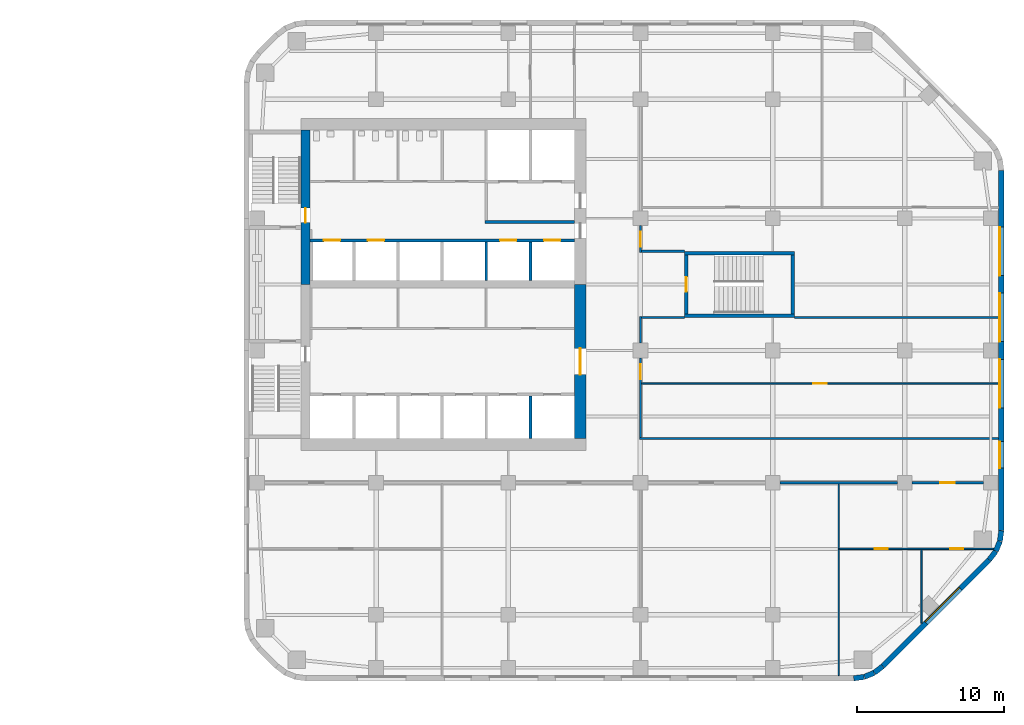
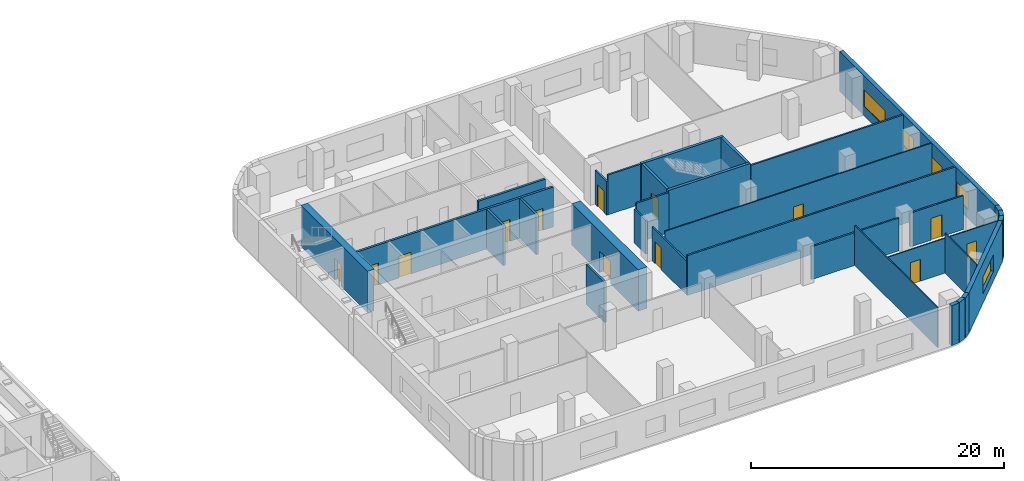
# One storey, part 9 of 14: 32 walls, 13 doors, 5 windows, 18 openings.
"""IFC4 building model written with IfcOpenShell, lengths in metres."""

from ifc_helpers import new_model, si_unit, direction, frame, frame_2d, origin, place, context, subcontext, project, spatial, rectangle, extrude, material, layer, layer_set, type_object, element, fill, save


model = new_model("IFC4")

# Units and contexts
model_context = context("Model", 3, precision=1e-05, world=origin(), true_north=direction((0.0, 1.0)))
body_context = subcontext(model_context, "Body", "Model", "MODEL_VIEW")
ifc_project = project(units=[si_unit("LENGTHUNIT", "METRE"), si_unit("AREAUNIT", "SQUARE_METRE"), si_unit("VOLUMEUNIT", "CUBIC_METRE"), si_unit("PLANEANGLEUNIT", "RADIAN"), si_unit("MASSUNIT", "GRAM", prefix="KILO")], contexts=[model_context])

# Site, building, storey
site_placement = place(None, origin())
site = spatial("IfcSite", under=ifc_project, at=site_placement, CompositionType="ELEMENT")
building_placement = place(site_placement, origin())
building = spatial("IfcBuilding", under=site, at=building_placement, Name="Cinnabar Reach Civic Tower", CompositionType="ELEMENT")
storey_placement = place(building_placement, frame((0.0, 0.0, 136.0)))
storey = spatial("IfcBuildingStorey", under=building, at=storey_placement, Name="L32", CompositionType="ELEMENT", Elevation=136.0)

# Walls
ifc_material_1 = material(Name="Facing brick with insulated backing", Category="masonry")
ifc_layer_1 = layer(ifc_material_1, 0.36)
ifc_layer_set_1 = layer_set([ifc_layer_1], Name="Brick corner wall")
wall_type_1 = type_object("IfcWallType", Name="Brick corner wall", PredefinedType="STANDARD", material=ifc_layer_set_1)
for number, where, z_axis, x_axis, name in (
    (1, (41.5186, 4.683, 0.0), (0.0, 0.0, 1.0), (0.99144092581, 0.13055608231, 0.0), "Brick corner wall"),
    (2, (42.2473, 4.7819, 0.0), (0.0, 0.0, 1.0), (0.923871547278, 0.382702709855, 0.0), "Brick corner wall"),
):
    element("IfcWall", number, at=place(storey_placement, frame(where, z_axis=z_axis, x_axis=x_axis)), inside=storey, type_object=wall_type_1, Name=name, PredefinedType="STANDARD", context=body_context, shape_type="SweptSolid", body=[
        extrude(rectangle(XDim=0.7131, YDim=0.36, at=frame_2d((0.3565, 0.0))), origin(), (0.0, 0.0, 1.0), 3.85),
    ])
for number, where, z_axis, x_axis, name in (
    (3, (42.9255, 5.066, 0.0), (0.0, 0.0, 1.0), (0.793321924995, 0.608802368033, 0.0), "Brick corner wall"),
    (4, (50.7498, 12.7587, 0.0), (0.0, 0.0, 1.0), (0.608802368033, 0.793321924995, 0.0), "Brick corner wall"),
):
    element("IfcWall", number, at=place(storey_placement, frame(where, z_axis=z_axis, x_axis=x_axis)), inside=storey, type_object=wall_type_1, Name=name, PredefinedType="STANDARD", context=body_context, shape_type="SweptSolid", body=[
        extrude(rectangle(XDim=0.7132, YDim=0.36, at=frame_2d((0.3566, 0.0))), origin(), (0.0, 0.0, 1.0), 3.85),
    ])
for number, where, z_axis, x_axis, name in (
    (5, (51.1952, 13.3439, 0.0), (0.0, 0.0, 1.0), (0.382702709855, 0.923871547278, 0.0), "Brick corner wall"),
    (6, (51.4739, 14.0244, 0.0), (0.0, 0.0, 1.0), (0.13055608231, 0.99144092581, 0.0), "Brick corner wall"),
):
    element("IfcWall", number, at=place(storey_placement, frame(where, z_axis=z_axis, x_axis=x_axis)), inside=storey, type_object=wall_type_1, Name=name, PredefinedType="STANDARD", context=body_context, shape_type="SweptSolid", body=[
        extrude(rectangle(XDim=0.7131, YDim=0.36, at=frame_2d((0.3565, 0.0))), origin(), (0.0, 0.0, 1.0), 3.85),
    ])

# Wall, opening, window
ifc_layer_2 = layer(ifc_material_1, 0.36)
ifc_layer_set_2 = layer_set([ifc_layer_2], Name="Brick pier and spandrel wall")
wall_type_2 = type_object("IfcWallType", Name="Brick pier and spandrel wall", PredefinedType="STANDARD", material=ifc_layer_set_2)
wall_1_placement = place(storey_placement, frame((43.5014, 5.506, 0.0), z_axis=(0.0, 0.0, 1.0), x_axis=(0.707106781187, 0.707106781187, 0.0)))
wall_1 = element("IfcWall", 7, at=wall_1_placement, inside=storey, type_object=wall_type_2, Name="Brick facade wall", PredefinedType="STANDARD", context=body_context, shape_type="SweptSolid", body=[
    extrude(rectangle(XDim=10.2426, YDim=0.36, at=frame_2d((5.1213, 0.0))), origin(), (0.0, 0.0, 1.0), 3.85),
])
opening_1_placement = place(wall_1_placement, frame((4.1713, 0.0, 0.9)))
opening_1 = element("IfcOpeningElement", 8, at=opening_1_placement, cuts=wall_1, Name="Opening W1684", PredefinedType="OPENING", context=body_context, shape_type="SweptSolid", body=[
    extrude(rectangle(XDim=3.3, YDim=1.6, at=frame_2d((1.65, 0.8))), frame((0.0, 0.19, 0.0), z_axis=(0.0, -1.0, 0.0), x_axis=(1.0, 0.0, 0.0)), (0.0, 0.0, 1.0), 0.38),
])
ifc_material_2 = material(Name="Clear double glazing in aluminium frame", Category="aluminium")
window_type_1 = type_object("IfcWindowType", Name="Deep-set window A", PartitioningType="SINGLE_PANEL", PredefinedType="WINDOW", material=ifc_material_2)
window_1_placement = place(opening_1_placement, origin())
window_1 = element("IfcWindow", 9, at=window_1_placement, inside=storey, type_object=window_type_1, Name="Window southeast face", OverallHeight=1.6, OverallWidth=3.3, PartitioningType="SINGLE_PANEL", PredefinedType="WINDOW", context=body_context, shape_type="SweptSolid", body=[
    extrude(rectangle(XDim=3.3, YDim=1.6, at=frame_2d((1.65, 0.8))), frame((0.0, 0.13, 0.0), z_axis=(0.0, -1.0, 0.0), x_axis=(1.0, 0.0, 0.0)), (0.0, 0.0, 1.0), 0.06),
])
fill(opening_1, window_1)

# Wall, openings, windows
wall_2_placement = place(storey_placement, frame((51.57, 14.7426, 0.0), z_axis=(0.0, 0.0, 1.0), x_axis=(0.0, 1.0, 0.0)))
wall_2 = element("IfcWall", 10, at=wall_2_placement, inside=storey, type_object=wall_type_2, Name="Brick facade wall", PredefinedType="STANDARD", context=body_context, shape_type="SweptSolid", body=[
    extrude(rectangle(XDim=24.5148, YDim=0.36, at=frame_2d((12.2574, 0.0))), origin(), (0.0, 0.0, 1.0), 3.85),
])
opening_2_placement = place(wall_2_placement, frame((4.2574, 0.0, 0.9)))
opening_2 = element("IfcOpeningElement", 11, at=opening_2_placement, cuts=wall_2, Name="Opening W1685", PredefinedType="OPENING", context=body_context, shape_type="SweptSolid", body=[
    extrude(rectangle(XDim=1.8, YDim=1.6, at=frame_2d((0.9, 0.8))), frame((0.0, 0.19, 0.0), z_axis=(0.0, -1.0, 0.0), x_axis=(1.0, 0.0, 0.0)), (0.0, 0.0, 1.0), 0.38),
])
opening_3_placement = place(wall_2_placement, frame((8.3574, 0.0, 0.9)))
opening_3 = element("IfcOpeningElement", 12, at=opening_3_placement, cuts=wall_2, Name="Opening W1686", PredefinedType="OPENING", context=body_context, shape_type="SweptSolid", body=[
    extrude(rectangle(XDim=3.3, YDim=1.6, at=frame_2d((1.65, 0.8))), frame((0.0, 0.19, 0.0), z_axis=(0.0, -1.0, 0.0), x_axis=(1.0, 0.0, 0.0)), (0.0, 0.0, 1.0), 0.38),
])
opening_4_placement = place(wall_2_placement, frame((12.8574, 0.0, 0.9)))
opening_4 = element("IfcOpeningElement", 13, at=opening_4_placement, cuts=wall_2, Name="Opening W1687", PredefinedType="OPENING", context=body_context, shape_type="SweptSolid", body=[
    extrude(rectangle(XDim=3.3, YDim=1.6, at=frame_2d((1.65, 0.8))), frame((0.0, 0.19, 0.0), z_axis=(0.0, -1.0, 0.0), x_axis=(1.0, 0.0, 0.0)), (0.0, 0.0, 1.0), 0.38),
])
opening_5_placement = place(wall_2_placement, frame((17.3574, 0.0, 0.9)))
opening_5 = element("IfcOpeningElement", 14, at=opening_5_placement, cuts=wall_2, Name="Opening W1688", PredefinedType="OPENING", context=body_context, shape_type="SweptSolid", body=[
    extrude(rectangle(XDim=3.3, YDim=1.6, at=frame_2d((1.65, 0.8))), frame((0.0, 0.19, 0.0), z_axis=(0.0, -1.0, 0.0), x_axis=(1.0, 0.0, 0.0)), (0.0, 0.0, 1.0), 0.38),
])
window_2_placement = place(opening_3_placement, origin())
window_2 = element("IfcWindow", 15, at=window_2_placement, inside=storey, type_object=window_type_1, Name="Window east face", OverallHeight=1.6, OverallWidth=3.3, PartitioningType="SINGLE_PANEL", PredefinedType="WINDOW", context=body_context, shape_type="SweptSolid", body=[
    extrude(rectangle(XDim=3.3, YDim=1.6, at=frame_2d((1.65, 0.8))), frame((0.0, 0.13, 0.0), z_axis=(0.0, -1.0, 0.0), x_axis=(1.0, 0.0, 0.0)), (0.0, 0.0, 1.0), 0.06),
])
fill(opening_3, window_2)
window_3_placement = place(opening_4_placement, origin())
window_3 = element("IfcWindow", 16, at=window_3_placement, inside=storey, type_object=window_type_1, Name="Window east face", OverallHeight=1.6, OverallWidth=3.3, PartitioningType="SINGLE_PANEL", PredefinedType="WINDOW", context=body_context, shape_type="SweptSolid", body=[
    extrude(rectangle(XDim=3.3, YDim=1.6, at=frame_2d((1.65, 0.8))), frame((0.0, 0.13, 0.0), z_axis=(0.0, -1.0, 0.0), x_axis=(1.0, 0.0, 0.0)), (0.0, 0.0, 1.0), 0.06),
])
fill(opening_4, window_3)
window_4_placement = place(opening_5_placement, origin())
window_4 = element("IfcWindow", 17, at=window_4_placement, inside=storey, type_object=window_type_1, Name="Window east face", OverallHeight=1.6, OverallWidth=3.3, PartitioningType="SINGLE_PANEL", PredefinedType="WINDOW", context=body_context, shape_type="SweptSolid", body=[
    extrude(rectangle(XDim=3.3, YDim=1.6, at=frame_2d((1.65, 0.8))), frame((0.0, 0.13, 0.0), z_axis=(0.0, -1.0, 0.0), x_axis=(1.0, 0.0, 0.0)), (0.0, 0.0, 1.0), 0.06),
])
fill(opening_5, window_4)
window_type_2 = type_object("IfcWindowType", Name="Deep-set window D", PartitioningType="SINGLE_PANEL", PredefinedType="WINDOW", material=ifc_material_2)
window_5_placement = place(opening_2_placement, origin())
window_5 = element("IfcWindow", 18, at=window_5_placement, inside=storey, type_object=window_type_2, Name="Window east face", OverallHeight=1.6, OverallWidth=1.8, PartitioningType="SINGLE_PANEL", PredefinedType="WINDOW", context=body_context, shape_type="SweptSolid", body=[
    extrude(rectangle(XDim=1.8, YDim=1.6, at=frame_2d((0.9, 0.8))), frame((0.0, 0.13, 0.0), z_axis=(0.0, -1.0, 0.0), x_axis=(1.0, 0.0, 0.0)), (0.0, 0.0, 1.0), 0.06),
])
fill(opening_2, window_5)

# Wall, opening, door
ifc_material_3 = material(Name="Concrete C70", Category="concrete")
ifc_layer_3 = layer(ifc_material_3, 0.6)
ifc_layer_set_3 = layer_set([ifc_layer_3], Name="Core wall 600 EI 180")
wall_type_3 = type_object("IfcWallType", Name="Core wall 600 EI 180", PredefinedType="SOLIDWALL", material=ifc_layer_set_3)
wall_3_placement = place(storey_placement, frame((4.2, 42.0, 0.0), z_axis=(0.0, 0.0, 1.0), x_axis=(0.0, -1.0, 0.0)))
wall_3 = element("IfcWall", 19, at=wall_3_placement, inside=storey, type_object=wall_type_3, Name="Core wall T1 L32 W", PredefinedType="SOLIDWALL", context=body_context, shape_type="SweptSolid", body=[
    extrude(rectangle(XDim=10.5, YDim=0.6, at=frame_2d((5.25, 0.0))), origin(), (0.0, 0.0, 1.0), 4.0),
])
opening_6_placement = place(wall_3_placement, frame((5.3, 0.0, 0.0)))
opening_6 = element("IfcOpeningElement", 20, at=opening_6_placement, cuts=wall_3, Name="Opening D4292", PredefinedType="OPENING", context=body_context, shape_type="SweptSolid", body=[
    extrude(rectangle(XDim=1.0, YDim=2.1, at=frame_2d((0.5, 1.05))), frame((0.0, 0.31, 0.0), z_axis=(0.0, -1.0, 0.0), x_axis=(1.0, 0.0, 0.0)), (0.0, 0.0, 1.0), 0.62),
])
ifc_material_4 = material(Name="Timber door leaf in steel frame", Category="steel")
door_type_1 = type_object("IfcDoorType", Name="Stair door 1000 x 2100 T1", OperationType="SINGLE_SWING_LEFT", PredefinedType="DOOR", material=ifc_material_4)
door_1_placement = place(opening_6_placement, frame((1.0, 0.0, 0.0), z_axis=(0.0, 0.0, 1.0), x_axis=(-1.0, 0.0, 0.0)))
door_1 = element("IfcDoor", 21, at=door_1_placement, inside=storey, type_object=door_type_1, Name="Door D4292", OperationType="SINGLE_SWING_LEFT", OverallHeight=2.1, OverallWidth=1.0, PredefinedType="DOOR", context=body_context, shape_type="SweptSolid", body=[
    extrude(rectangle(XDim=1.0, YDim=2.1, at=frame_2d((0.5, 1.05))), frame((0.0, 0.025, 0.0), z_axis=(0.0, -1.0, 0.0), x_axis=(1.0, 0.0, 0.0)), (0.0, 0.0, 1.0), 0.05),
])
fill(opening_6, door_1)

ifc_layer_4 = layer(ifc_material_3, 0.8)
ifc_layer_set_4 = layer_set([ifc_layer_4], Name="Core wall 800 EI 180")
wall_type_4 = type_object("IfcWallType", Name="Core wall 800 EI 180", PredefinedType="SOLIDWALL", material=ifc_layer_set_4)
wall_4_placement = place(storey_placement, frame((22.9, 21.0, 0.0), z_axis=(0.0, 0.0, 1.0), x_axis=(0.0, 1.0, 0.0)))
wall_4 = element("IfcWall", 22, at=wall_4_placement, inside=storey, type_object=wall_type_4, Name="Core wall T1 L32 E", PredefinedType="SOLIDWALL", context=body_context, shape_type="SweptSolid", body=[
    extrude(rectangle(XDim=10.5, YDim=0.8, at=frame_2d((5.25, 0.0))), origin(), (0.0, 0.0, 1.0), 4.0),
])
opening_7_placement = place(wall_4_placement, frame((4.35, 0.0, 0.0)))
opening_7 = element("IfcOpeningElement", 23, at=opening_7_placement, cuts=wall_4, Name="Opening D4306", PredefinedType="OPENING", context=body_context, shape_type="SweptSolid", body=[
    extrude(rectangle(XDim=1.8, YDim=2.1, at=frame_2d((0.9, 1.05))), frame((0.0, 0.41, 0.0), z_axis=(0.0, -1.0, 0.0), x_axis=(1.0, 0.0, 0.0)), (0.0, 0.0, 1.0), 0.82),
])
door_type_2 = type_object("IfcDoorType", Name="Double swing door 1800 x 2100 T1", OperationType="DOUBLE_DOOR_DOUBLE_SWING", PredefinedType="DOOR", material=ifc_material_4)
door_2_placement = place(opening_7_placement, origin())
door_2 = element("IfcDoor", 24, at=door_2_placement, inside=storey, type_object=door_type_2, Name="Door D4306", OperationType="DOUBLE_DOOR_DOUBLE_SWING", OverallHeight=2.1, OverallWidth=1.8, PredefinedType="DOOR", context=body_context, shape_type="SweptSolid", body=[
    extrude(rectangle(XDim=1.8, YDim=2.1, at=frame_2d((0.9, 1.05))), frame((0.0, 0.025, 0.0), z_axis=(0.0, -1.0, 0.0), x_axis=(1.0, 0.0, 0.0)), (0.0, 0.0, 1.0), 0.05),
])
fill(opening_7, door_2)

ifc_material_5 = material(Name="Gypsum board on steel studs, double layer", Category="steel")
ifc_layer_5 = layer(ifc_material_5, 0.15)
ifc_layer_set_5 = layer_set([ifc_layer_5], Name="Corridor wall 150 T1")
wall_type_5 = type_object("IfcWallType", Name="Corridor wall 150 T1", PredefinedType="PARTITIONING", material=ifc_layer_set_5)
wall_5_placement = place(storey_placement, frame((45.5, 18.0, 0.0), z_axis=(0.0, 0.0, 1.0), x_axis=(1.0, 0.0, 0.0)))
wall_5 = element("IfcWall", 25, at=wall_5_placement, inside=storey, type_object=wall_type_5, Name="Corridor wall 19", PredefinedType="PARTITIONING", context=body_context, shape_type="SweptSolid", body=[
    extrude(rectangle(XDim=4.85, YDim=0.15, at=frame_2d((2.425, 0.0))), origin(), (0.0, 0.0, 1.0), 3.254),
])
opening_8_placement = place(wall_5_placement, frame((1.9, 0.0, 0.0)))
opening_8 = element("IfcOpeningElement", 26, at=opening_8_placement, cuts=wall_5, Name="Opening D4326", PredefinedType="OPENING", context=body_context, shape_type="SweptSolid", body=[
    extrude(rectangle(XDim=1.0, YDim=2.1, at=frame_2d((0.5, 1.05))), frame((0.0, 0.085, 0.0), z_axis=(0.0, -1.0, 0.0), x_axis=(1.0, 0.0, 0.0)), (0.0, 0.0, 1.0), 0.17),
])
door_type_3 = type_object("IfcDoorType", Name="Tenancy entrance door 1000 x 2100 T1", OperationType="SINGLE_SWING_LEFT", PredefinedType="DOOR", material=ifc_material_4)
door_3_placement = place(opening_8_placement, frame((1.0, 0.0, 0.0), z_axis=(0.0, 0.0, 1.0), x_axis=(-1.0, 0.0, 0.0)))
door_3 = element("IfcDoor", 27, at=door_3_placement, inside=storey, type_object=door_type_3, Name="Door D4326", OperationType="SINGLE_SWING_RIGHT", OverallHeight=2.1, OverallWidth=1.0, PredefinedType="DOOR", context=body_context, shape_type="SweptSolid", body=[
    extrude(rectangle(XDim=1.0, YDim=2.1, at=frame_2d((0.5, 1.05))), frame((0.0, 0.025, 0.0), z_axis=(0.0, -1.0, 0.0), x_axis=(1.0, 0.0, 0.0)), (0.0, 0.0, 1.0), 0.05),
])
fill(opening_8, door_3)

# Walls
wall_6_placement = place(storey_placement, frame((36.5, 18.0, 0.0), z_axis=(0.0, 0.0, 1.0), x_axis=(1.0, 0.0, 0.0)))
element("IfcWall", 28, at=wall_6_placement, inside=storey, type_object=wall_type_5, Name="Corridor wall 20", PredefinedType="PARTITIONING", context=body_context, shape_type="SweptSolid", body=[
    extrude(rectangle(XDim=8.0, YDim=0.15, at=frame_2d((4.0, 0.0))), origin(), (0.0, 0.0, 1.0), 3.158),
])
wall_7_placement = place(storey_placement, frame((26.925, 21.0, 0.0), z_axis=(0.0, 0.0, 1.0), x_axis=(1.0, 0.0, 0.0)))
element("IfcWall", 29, at=wall_7_placement, inside=storey, type_object=wall_type_5, Name="Corridor wall 25", PredefinedType="PARTITIONING", context=body_context, shape_type="SweptSolid", body=[
    extrude(rectangle(XDim=24.465, YDim=0.15, at=frame_2d((12.2325, 0.0))), origin(), (0.0, 0.0, 1.0), 3.85),
])

# Wall, opening, door
wall_8_placement = place(storey_placement, frame((27.0, 33.675, 0.0), z_axis=(0.0, 0.0, 1.0), x_axis=(0.0, 1.0, 0.0)))
wall_8 = element("IfcWall", 30, at=wall_8_placement, inside=storey, type_object=wall_type_5, Name="Corridor wall 27", PredefinedType="PARTITIONING", context=body_context, shape_type="SweptSolid", body=[
    extrude(rectangle(XDim=1.825, YDim=0.15, at=frame_2d((0.9125, 0.0))), origin(), (0.0, 0.0, 1.0), 3.256),
])
opening_9_placement = place(wall_8_placement, frame((0.4, 0.0, 0.0)))
opening_9 = element("IfcOpeningElement", 31, at=opening_9_placement, cuts=wall_8, Name="Opening D4317", PredefinedType="OPENING", context=body_context, shape_type="SweptSolid", body=[
    extrude(rectangle(XDim=1.0, YDim=2.1, at=frame_2d((0.5, 1.05))), frame((0.0, 0.085, 0.0), z_axis=(0.0, -1.0, 0.0), x_axis=(1.0, 0.0, 0.0)), (0.0, 0.0, 1.0), 0.17),
])
door_4_placement = place(opening_9_placement, frame((1.0, 0.0, 0.0), z_axis=(0.0, 0.0, 1.0), x_axis=(-1.0, 0.0, 0.0)))
door_4 = element("IfcDoor", 32, at=door_4_placement, inside=storey, type_object=door_type_3, Name="Door D4317", OperationType="SINGLE_SWING_RIGHT", OverallHeight=2.1, OverallWidth=1.0, PredefinedType="DOOR", context=body_context, shape_type="SweptSolid", body=[
    extrude(rectangle(XDim=1.0, YDim=2.1, at=frame_2d((0.5, 1.05))), frame((0.0, 0.025, 0.0), z_axis=(0.0, -1.0, 0.0), x_axis=(1.0, 0.0, 0.0)), (0.0, 0.0, 1.0), 0.05),
])
fill(opening_9, door_4)

wall_9_placement = place(storey_placement, frame((27.0, 21.075, 0.0), z_axis=(0.0, 0.0, 1.0), x_axis=(0.0, 1.0, 0.0)))
wall_9 = element("IfcWall", 33, at=wall_9_placement, inside=storey, type_object=wall_type_5, Name="Corridor wall 31", PredefinedType="PARTITIONING", context=body_context, shape_type="SweptSolid", body=[
    extrude(rectangle(XDim=5.425, YDim=0.15, at=frame_2d((2.7125, 0.0))), origin(), (0.0, 0.0, 1.0), 3.256),
])
opening_10_placement = place(wall_9_placement, frame((3.975, 0.0, 0.0)))
opening_10 = element("IfcOpeningElement", 34, at=opening_10_placement, cuts=wall_9, Name="Opening D4320", PredefinedType="OPENING", context=body_context, shape_type="SweptSolid", body=[
    extrude(rectangle(XDim=1.0, YDim=2.1, at=frame_2d((0.5, 1.05))), frame((0.0, 0.085, 0.0), z_axis=(0.0, -1.0, 0.0), x_axis=(1.0, 0.0, 0.0)), (0.0, 0.0, 1.0), 0.17),
])
door_5_placement = place(opening_10_placement, frame((1.0, 0.0, 0.0), z_axis=(0.0, 0.0, 1.0), x_axis=(-1.0, 0.0, 0.0)))
door_5 = element("IfcDoor", 35, at=door_5_placement, inside=storey, type_object=door_type_3, Name="Door D4320", OperationType="SINGLE_SWING_RIGHT", OverallHeight=2.1, OverallWidth=1.0, PredefinedType="DOOR", context=body_context, shape_type="SweptSolid", body=[
    extrude(rectangle(XDim=1.0, YDim=2.1, at=frame_2d((0.5, 1.05))), frame((0.0, 0.025, 0.0), z_axis=(0.0, -1.0, 0.0), x_axis=(1.0, 0.0, 0.0)), (0.0, 0.0, 1.0), 0.05),
])
fill(opening_10, door_5)

# Walls
wall_10_placement = place(storey_placement, frame((27.0, 27.5, 0.0), z_axis=(0.0, 0.0, 1.0), x_axis=(0.0, 1.0, 0.0)))
element("IfcWall", 36, at=wall_10_placement, inside=storey, type_object=wall_type_5, Name="Corridor wall 32", PredefinedType="PARTITIONING", context=body_context, shape_type="SweptSolid", body=[
    extrude(rectangle(XDim=1.825, YDim=0.15, at=frame_2d((0.9125, 0.0))), origin(), (0.0, 0.0, 1.0), 3.256),
])
for number, where, z_axis, x_axis, name in (
    (37, (27.075, 29.25, 0.0), (0.0, 0.0, 1.0), (1.0, 0.0, 0.0), "Corridor wall 36"),
    (38, (27.075, 33.75, 0.0), (0.0, 0.0, 1.0), (1.0, 0.0, 0.0), "Corridor wall 37"),
):
    element("IfcWall", number, at=place(storey_placement, frame(where, z_axis=z_axis, x_axis=x_axis)), inside=storey, type_object=wall_type_5, Name=name, PredefinedType="PARTITIONING", context=body_context, shape_type="SweptSolid", body=[
        extrude(rectangle(XDim=2.925, YDim=0.15, at=frame_2d((1.4625, 0.0))), origin(), (0.0, 0.0, 1.0), 3.85),
    ])

# Wall, openings, doors
ifc_material_6 = material(Name="Blockwork", Category="masonry")
ifc_layer_6 = layer(ifc_material_6, 0.2)
ifc_layer_set_6 = layer_set([ifc_layer_6], Name="Lift shaft wall 200 T1")
wall_type_6 = type_object("IfcWallType", Name="Lift shaft wall 200 T1", PredefinedType="PARTITIONING", material=ifc_layer_set_6)
wall_11_placement = place(storey_placement, frame((4.5, 34.5, 0.0), z_axis=(0.0, 0.0, 1.0), x_axis=(1.0, 0.0, 0.0)))
wall_11 = element("IfcWall", 39, at=wall_11_placement, inside=storey, type_object=wall_type_6, Name="Lift shaft wall 5", PredefinedType="PARTITIONING", context=body_context, shape_type="SweptSolid", body=[
    extrude(rectangle(XDim=18.0, YDim=0.2, at=frame_2d((9.0, 0.0))), origin(), (0.0, 0.0, 1.0), 3.85),
])
opening_11_placement = place(wall_11_placement, frame((0.95, 0.0, 0.0)))
opening_11 = element("IfcOpeningElement", 40, at=opening_11_placement, cuts=wall_11, Name="Opening D4300", PredefinedType="OPENING", context=body_context, shape_type="SweptSolid", body=[
    extrude(rectangle(XDim=1.1, YDim=2.1, at=frame_2d((0.55, 1.05))), frame((0.0, 0.11, 0.0), z_axis=(0.0, -1.0, 0.0), x_axis=(1.0, 0.0, 0.0)), (0.0, 0.0, 1.0), 0.22),
])
opening_12_placement = place(wall_11_placement, frame((3.95, 0.0, 0.0)))
opening_12 = element("IfcOpeningElement", 41, at=opening_12_placement, cuts=wall_11, Name="Opening D4301", PredefinedType="OPENING", context=body_context, shape_type="SweptSolid", body=[
    extrude(rectangle(XDim=1.1, YDim=2.1, at=frame_2d((0.55, 1.05))), frame((0.0, 0.11, 0.0), z_axis=(0.0, -1.0, 0.0), x_axis=(1.0, 0.0, 0.0)), (0.0, 0.0, 1.0), 0.22),
])
opening_13_placement = place(wall_11_placement, frame((12.95, 0.0, 0.0)))
opening_13 = element("IfcOpeningElement", 42, at=opening_13_placement, cuts=wall_11, Name="Opening D4302", PredefinedType="OPENING", context=body_context, shape_type="SweptSolid", body=[
    extrude(rectangle(XDim=1.1, YDim=2.1, at=frame_2d((0.55, 1.05))), frame((0.0, 0.11, 0.0), z_axis=(0.0, -1.0, 0.0), x_axis=(1.0, 0.0, 0.0)), (0.0, 0.0, 1.0), 0.22),
])
opening_14_placement = place(wall_11_placement, frame((15.95, 0.0, 0.0)))
opening_14 = element("IfcOpeningElement", 43, at=opening_14_placement, cuts=wall_11, Name="Opening D4303", PredefinedType="OPENING", context=body_context, shape_type="SweptSolid", body=[
    extrude(rectangle(XDim=1.1, YDim=2.1, at=frame_2d((0.55, 1.05))), frame((0.0, 0.11, 0.0), z_axis=(0.0, -1.0, 0.0), x_axis=(1.0, 0.0, 0.0)), (0.0, 0.0, 1.0), 0.22),
])
ifc_material_7 = material(Name="Stainless steel sliding door", Category="steel")
door_type_4 = type_object("IfcDoorType", Name="Lift landing door 1100 x 2100 T1", OperationType="SLIDING_TO_LEFT", PredefinedType="DOOR", material=ifc_material_7)
door_6_placement = place(opening_11_placement, origin())
door_6 = element("IfcDoor", 44, at=door_6_placement, inside=storey, type_object=door_type_4, Name="Lift landing door SH1 L32", OperationType="SLIDING_TO_LEFT", OverallHeight=2.1, OverallWidth=1.1, PredefinedType="DOOR", context=body_context, shape_type="SweptSolid", body=[
    extrude(rectangle(XDim=1.1, YDim=2.1, at=frame_2d((0.55, 1.05))), frame((0.0, 0.025, 0.0), z_axis=(0.0, -1.0, 0.0), x_axis=(1.0, 0.0, 0.0)), (0.0, 0.0, 1.0), 0.05),
])
fill(opening_11, door_6)
door_7_placement = place(opening_12_placement, origin())
door_7 = element("IfcDoor", 45, at=door_7_placement, inside=storey, type_object=door_type_4, Name="Lift landing door SH2 L32", OperationType="SLIDING_TO_LEFT", OverallHeight=2.1, OverallWidth=1.1, PredefinedType="DOOR", context=body_context, shape_type="SweptSolid", body=[
    extrude(rectangle(XDim=1.1, YDim=2.1, at=frame_2d((0.55, 1.05))), frame((0.0, 0.025, 0.0), z_axis=(0.0, -1.0, 0.0), x_axis=(1.0, 0.0, 0.0)), (0.0, 0.0, 1.0), 0.05),
])
fill(opening_12, door_7)
door_8_placement = place(opening_13_placement, origin())
door_8 = element("IfcDoor", 46, at=door_8_placement, inside=storey, type_object=door_type_4, Name="Lift landing door SV1 L32", OperationType="SLIDING_TO_LEFT", OverallHeight=2.1, OverallWidth=1.1, PredefinedType="DOOR", context=body_context, shape_type="SweptSolid", body=[
    extrude(rectangle(XDim=1.1, YDim=2.1, at=frame_2d((0.55, 1.05))), frame((0.0, 0.025, 0.0), z_axis=(0.0, -1.0, 0.0), x_axis=(1.0, 0.0, 0.0)), (0.0, 0.0, 1.0), 0.05),
])
fill(opening_13, door_8)
door_9_placement = place(opening_14_placement, origin())
door_9 = element("IfcDoor", 47, at=door_9_placement, inside=storey, type_object=door_type_4, Name="Lift landing door SV2 L32", OperationType="SLIDING_TO_LEFT", OverallHeight=2.1, OverallWidth=1.1, PredefinedType="DOOR", context=body_context, shape_type="SweptSolid", body=[
    extrude(rectangle(XDim=1.1, YDim=2.1, at=frame_2d((0.55, 1.05))), frame((0.0, 0.025, 0.0), z_axis=(0.0, -1.0, 0.0), x_axis=(1.0, 0.0, 0.0)), (0.0, 0.0, 1.0), 0.05),
])
fill(opening_14, door_9)

# Walls
wall_12_placement = place(storey_placement, frame((16.5, 31.75, 0.0), z_axis=(0.0, 0.0, 1.0), x_axis=(0.0, 1.0, 0.0)))
element("IfcWall", 48, at=wall_12_placement, inside=storey, type_object=wall_type_6, Name="Lift shaft wall 16", PredefinedType="PARTITIONING", context=body_context, shape_type="SweptSolid", body=[
    extrude(rectangle(XDim=2.65, YDim=0.2, at=frame_2d((1.325, 0.0))), origin(), (0.0, 0.0, 1.0), 3.85),
])
wall_13_placement = place(storey_placement, frame((19.5, 21.0, 0.0), z_axis=(0.0, 0.0, 1.0), x_axis=(0.0, 1.0, 0.0)))
element("IfcWall", 49, at=wall_13_placement, inside=storey, type_object=wall_type_6, Name="Lift shaft wall 17", PredefinedType="PARTITIONING", context=body_context, shape_type="SweptSolid", body=[
    extrude(rectangle(XDim=2.9, YDim=0.2, at=frame_2d((1.45, 0.0))), origin(), (0.0, 0.0, 1.0), 3.85),
])
wall_14_placement = place(storey_placement, frame((19.5, 31.75, 0.0), z_axis=(0.0, 0.0, 1.0), x_axis=(0.0, 1.0, 0.0)))
element("IfcWall", 50, at=wall_14_placement, inside=storey, type_object=wall_type_6, Name="Lift shaft wall 18", PredefinedType="PARTITIONING", context=body_context, shape_type="SweptSolid", body=[
    extrude(rectangle(XDim=2.65, YDim=0.2, at=frame_2d((1.325, 0.0))), origin(), (0.0, 0.0, 1.0), 3.85),
])

# Wall, opening, door
ifc_material_8 = material(Name="Gypsum board on steel studs", Category="steel")
ifc_layer_7 = layer(ifc_material_8, 0.1)
ifc_layer_set_7 = layer_set([ifc_layer_7], Name="Partition wall 100 T1")
wall_type_7 = type_object("IfcWallType", Name="Partition wall 100 T1", PredefinedType="PARTITIONING", material=ifc_layer_set_7)
wall_15_placement = place(storey_placement, frame((27.075, 24.75, 0.0), z_axis=(0.0, 0.0, 1.0), x_axis=(1.0, 0.0, 0.0)))
wall_15 = element("IfcWall", 51, at=wall_15_placement, inside=storey, type_object=wall_type_7, Name="Partition wall 41", PredefinedType="PARTITIONING", context=body_context, shape_type="SweptSolid", body=[
    extrude(rectangle(XDim=24.315, YDim=0.1, at=frame_2d((12.1575, 0.0))), origin(), (0.0, 0.0, 1.0), 3.85),
])
opening_15_placement = place(wall_15_placement, frame((11.7, 0.0, 0.0)))
opening_15 = element("IfcOpeningElement", 52, at=opening_15_placement, cuts=wall_15, Name="Opening D4321", PredefinedType="OPENING", context=body_context, shape_type="SweptSolid", body=[
    extrude(rectangle(XDim=0.9, YDim=2.1, at=frame_2d((0.45, 1.05))), frame((0.0, 0.06, 0.0), z_axis=(0.0, -1.0, 0.0), x_axis=(1.0, 0.0, 0.0)), (0.0, 0.0, 1.0), 0.12),
])
door_type_5 = type_object("IfcDoorType", Name="Single swing door 900 x 2100 T1", OperationType="SINGLE_SWING_LEFT", PredefinedType="DOOR", material=ifc_material_4)
door_10_placement = place(opening_15_placement, frame((0.9, 0.0, 0.0), z_axis=(0.0, 0.0, 1.0), x_axis=(-1.0, 0.0, 0.0)))
door_10 = element("IfcDoor", 53, at=door_10_placement, inside=storey, type_object=door_type_5, Name="Door D4321", OperationType="SINGLE_SWING_LEFT", OverallHeight=2.1, OverallWidth=0.9, PredefinedType="DOOR", context=body_context, shape_type="SweptSolid", body=[
    extrude(rectangle(XDim=0.9, YDim=2.1, at=frame_2d((0.45, 1.05))), frame((0.0, 0.025, 0.0), z_axis=(0.0, -1.0, 0.0), x_axis=(1.0, 0.0, 0.0)), (0.0, 0.0, 1.0), 0.05),
])
fill(opening_15, door_10)

# Wall
wall_16_placement = place(storey_placement, frame((40.5, 4.86, 0.0), z_axis=(0.0, 0.0, 1.0), x_axis=(0.0, 1.0, 0.0)))
element("IfcWall", 54, at=wall_16_placement, inside=storey, type_object=wall_type_7, Name="Partition wall 48", PredefinedType="PARTITIONING", context=body_context, shape_type="SweptSolid", body=[
    extrude(rectangle(XDim=13.065, YDim=0.1, at=frame_2d((6.5325, 0.0))), origin(), (0.0, 0.0, 1.0), 3.85),
])

# Wall, openings, doors
wall_17_placement = place(storey_placement, frame((40.55, 13.5, 0.0), z_axis=(0.0, 0.0, 1.0), x_axis=(1.0, 0.0, 0.0)))
wall_17 = element("IfcWall", 55, at=wall_17_placement, inside=storey, type_object=wall_type_7, Name="Partition wall 50", PredefinedType="PARTITIONING", context=body_context, shape_type="SweptSolid", body=[
    extrude(rectangle(XDim=10.4943, YDim=0.1, at=frame_2d((5.2472, 0.0))), origin(), (0.0, 0.0, 1.0), 3.354),
])
opening_16_placement = place(wall_17_placement, frame((2.4, 0.0, 0.0)))
opening_16 = element("IfcOpeningElement", 56, at=opening_16_placement, cuts=wall_17, Name="Opening D4327", PredefinedType="OPENING", context=body_context, shape_type="SweptSolid", body=[
    extrude(rectangle(XDim=0.9, YDim=2.1, at=frame_2d((0.45, 1.05))), frame((0.0, 0.06, 0.0), z_axis=(0.0, -1.0, 0.0), x_axis=(1.0, 0.0, 0.0)), (0.0, 0.0, 1.0), 0.12),
])
opening_17_placement = place(wall_17_placement, frame((7.525, 0.0, 0.0)))
opening_17 = element("IfcOpeningElement", 57, at=opening_17_placement, cuts=wall_17, Name="Opening D4328", PredefinedType="OPENING", context=body_context, shape_type="SweptSolid", body=[
    extrude(rectangle(XDim=0.9, YDim=2.1, at=frame_2d((0.45, 1.05))), frame((0.0, 0.06, 0.0), z_axis=(0.0, -1.0, 0.0), x_axis=(1.0, 0.0, 0.0)), (0.0, 0.0, 1.0), 0.12),
])
door_11_placement = place(opening_16_placement, frame((0.9, 0.0, 0.0), z_axis=(0.0, 0.0, 1.0), x_axis=(-1.0, 0.0, 0.0)))
door_11 = element("IfcDoor", 58, at=door_11_placement, inside=storey, type_object=door_type_5, Name="Door D4327", OperationType="SINGLE_SWING_LEFT", OverallHeight=2.1, OverallWidth=0.9, PredefinedType="DOOR", context=body_context, shape_type="SweptSolid", body=[
    extrude(rectangle(XDim=0.9, YDim=2.1, at=frame_2d((0.45, 1.05))), frame((0.0, 0.025, 0.0), z_axis=(0.0, -1.0, 0.0), x_axis=(1.0, 0.0, 0.0)), (0.0, 0.0, 1.0), 0.05),
])
fill(opening_16, door_11)
door_12_placement = place(opening_17_placement, frame((0.9, 0.0, 0.0), z_axis=(0.0, 0.0, 1.0), x_axis=(-1.0, 0.0, 0.0)))
door_12 = element("IfcDoor", 59, at=door_12_placement, inside=storey, type_object=door_type_5, Name="Door D4328", OperationType="SINGLE_SWING_RIGHT", OverallHeight=2.1, OverallWidth=0.9, PredefinedType="DOOR", context=body_context, shape_type="SweptSolid", body=[
    extrude(rectangle(XDim=0.9, YDim=2.1, at=frame_2d((0.45, 1.05))), frame((0.0, 0.025, 0.0), z_axis=(0.0, -1.0, 0.0), x_axis=(1.0, 0.0, 0.0)), (0.0, 0.0, 1.0), 0.05),
])
fill(opening_17, door_12)

# Walls
wall_18_placement = place(storey_placement, frame((46.125, 8.4341, 0.0), z_axis=(0.0, 0.0, 1.0), x_axis=(0.0, 1.0, 0.0)))
element("IfcWall", 60, at=wall_18_placement, inside=storey, type_object=wall_type_7, Name="Partition wall 52", PredefinedType="PARTITIONING", context=body_context, shape_type="SweptSolid", body=[
    extrude(rectangle(XDim=5.0159, YDim=0.1, at=frame_2d((2.508, 0.0))), origin(), (0.0, 0.0, 1.0), 3.85),
])
ifc_material_9 = material(Name="Concrete C40", Category="concrete")
ifc_layer_8 = layer(ifc_material_9, 0.2)
ifc_layer_set_8 = layer_set([ifc_layer_8], Name="Refuge compartment wall 200 T1")
wall_type_8 = type_object("IfcWallType", Name="Refuge compartment wall 200 T1", PredefinedType="PARTITIONING", material=ifc_layer_set_8)
wall_19_placement = place(storey_placement, frame((16.4, 35.75, 0.0), z_axis=(0.0, 0.0, 1.0), x_axis=(1.0, 0.0, 0.0)))
element("IfcWall", 61, at=wall_19_placement, inside=storey, type_object=wall_type_8, Name="Refuge compartment wall 1", PredefinedType="PARTITIONING", context=body_context, shape_type="SweptSolid", body=[
    extrude(rectangle(XDim=6.1, YDim=0.2, at=frame_2d((3.05, 0.0))), origin(), (0.0, 0.0, 1.0), 3.85),
])
ifc_material_10 = material(Name="Concrete C60", Category="concrete")
ifc_layer_9 = layer(ifc_material_10, 0.25)
ifc_layer_set_9 = layer_set([ifc_layer_9], Name="Stair shaft wall 250 EI 120")
wall_type_9 = type_object("IfcWallType", Name="Stair shaft wall 250 EI 120", PredefinedType="SOLIDWALL", material=ifc_layer_set_9)
for number, where, z_axis, x_axis, name in (
    (62, (30.0, 29.375, 0.0), (0.0, 0.0, 1.0), (1.0, 0.0, 0.0), "Stair shaft wall T1-S3 L32"),
    (63, (37.5, 33.625, 0.0), (0.0, 0.0, 1.0), (-1.0, 0.0, 0.0), "Stair shaft wall T1-S3 L32"),
):
    element("IfcWall", number, at=place(storey_placement, frame(where, z_axis=z_axis, x_axis=x_axis)), inside=storey, type_object=wall_type_9, Name=name, PredefinedType="SOLIDWALL", context=body_context, shape_type="SweptSolid", body=[
        extrude(rectangle(XDim=7.5, YDim=0.25, at=frame_2d((3.75, 0.0))), origin(), (0.0, 0.0, 1.0), 4.0),
    ])
wall_20_placement = place(storey_placement, frame((37.375, 29.5, 0.0), z_axis=(0.0, 0.0, 1.0), x_axis=(0.0, 1.0, 0.0)))
element("IfcWall", 64, at=wall_20_placement, inside=storey, type_object=wall_type_9, Name="Stair shaft wall T1-S3 L32", PredefinedType="SOLIDWALL", context=body_context, shape_type="SweptSolid", body=[
    extrude(rectangle(XDim=4.0, YDim=0.25, at=frame_2d((2.0, 0.0))), origin(), (0.0, 0.0, 1.0), 4.0),
])

# Wall, opening, door
wall_21_placement = place(storey_placement, frame((30.125, 33.5, 0.0), z_axis=(0.0, 0.0, 1.0), x_axis=(0.0, -1.0, 0.0)))
wall_21 = element("IfcWall", 65, at=wall_21_placement, inside=storey, type_object=wall_type_9, Name="Stair shaft wall T1-S3 L32", PredefinedType="SOLIDWALL", context=body_context, shape_type="SweptSolid", body=[
    extrude(rectangle(XDim=4.0, YDim=0.25, at=frame_2d((2.0, 0.0))), origin(), (0.0, 0.0, 1.0), 4.0),
])
opening_18_placement = place(wall_21_placement, frame((1.5, 0.0, 0.0)))
opening_18 = element("IfcOpeningElement", 66, at=opening_18_placement, cuts=wall_21, Name="Opening D4309", PredefinedType="OPENING", context=body_context, shape_type="SweptSolid", body=[
    extrude(rectangle(XDim=1.0, YDim=2.1, at=frame_2d((0.5, 1.05))), frame((0.0, 0.135, 0.0), z_axis=(0.0, -1.0, 0.0), x_axis=(1.0, 0.0, 0.0)), (0.0, 0.0, 1.0), 0.27),
])
door_13_placement = place(opening_18_placement, origin())
door_13 = element("IfcDoor", 67, at=door_13_placement, inside=storey, type_object=door_type_1, Name="Door D4309", OperationType="SINGLE_SWING_LEFT", OverallHeight=2.1, OverallWidth=1.0, PredefinedType="DOOR", context=body_context, shape_type="SweptSolid", body=[
    extrude(rectangle(XDim=1.0, YDim=2.1, at=frame_2d((0.5, 1.05))), frame((0.0, 0.025, 0.0), z_axis=(0.0, -1.0, 0.0), x_axis=(1.0, 0.0, 0.0)), (0.0, 0.0, 1.0), 0.05),
])
fill(opening_18, door_13)

# Wall
ifc_layer_10 = layer(ifc_material_5, 0.15)
ifc_layer_set_10 = layer_set([ifc_layer_10], Name="Tenancy separating wall 150 T1")
wall_type_10 = type_object("IfcWallType", Name="Tenancy separating wall 150 T1", PredefinedType="PARTITIONING", material=ifc_layer_set_10)
wall_22_placement = place(storey_placement, frame((37.5, 29.25, 0.0), z_axis=(0.0, 0.0, 1.0), x_axis=(1.0, 0.0, 0.0)))
element("IfcWall", 68, at=wall_22_placement, inside=storey, type_object=wall_type_10, Name="Tenancy separating wall 40", PredefinedType="PARTITIONING", context=body_context, shape_type="SweptSolid", body=[
    extrude(rectangle(XDim=13.89, YDim=0.15, at=frame_2d((6.945, 0.0))), origin(), (0.0, 0.0, 1.0), 3.85),
])

save(model, "model.ifc")
